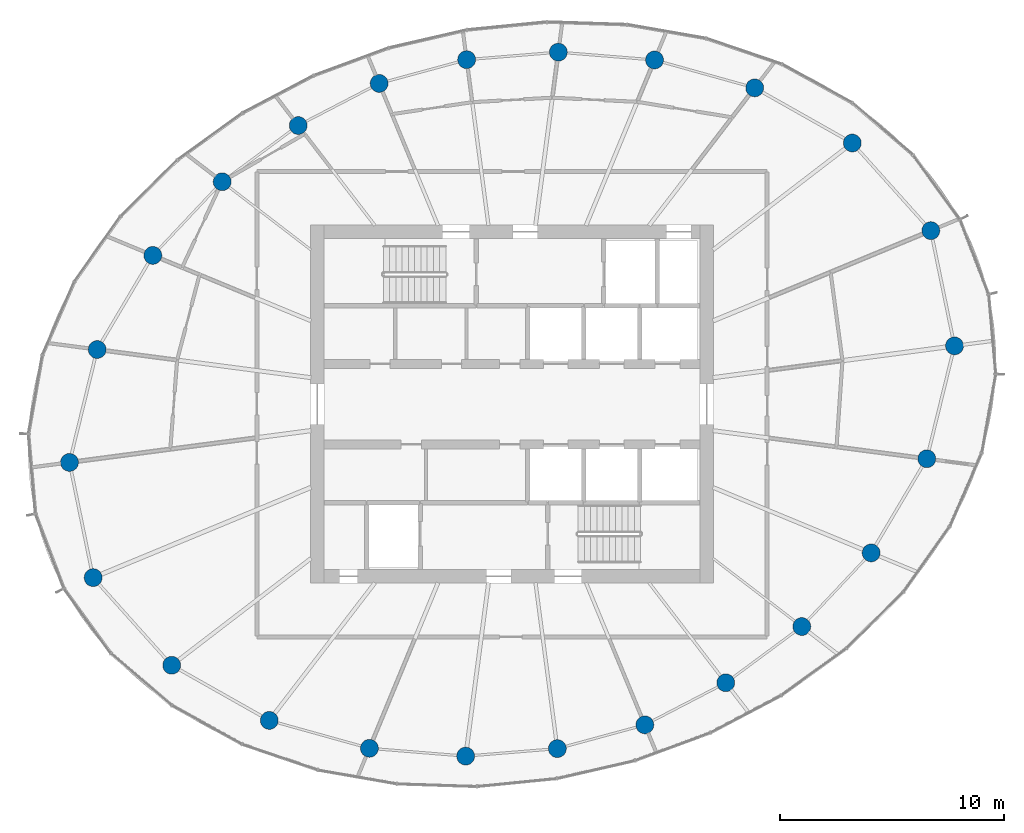
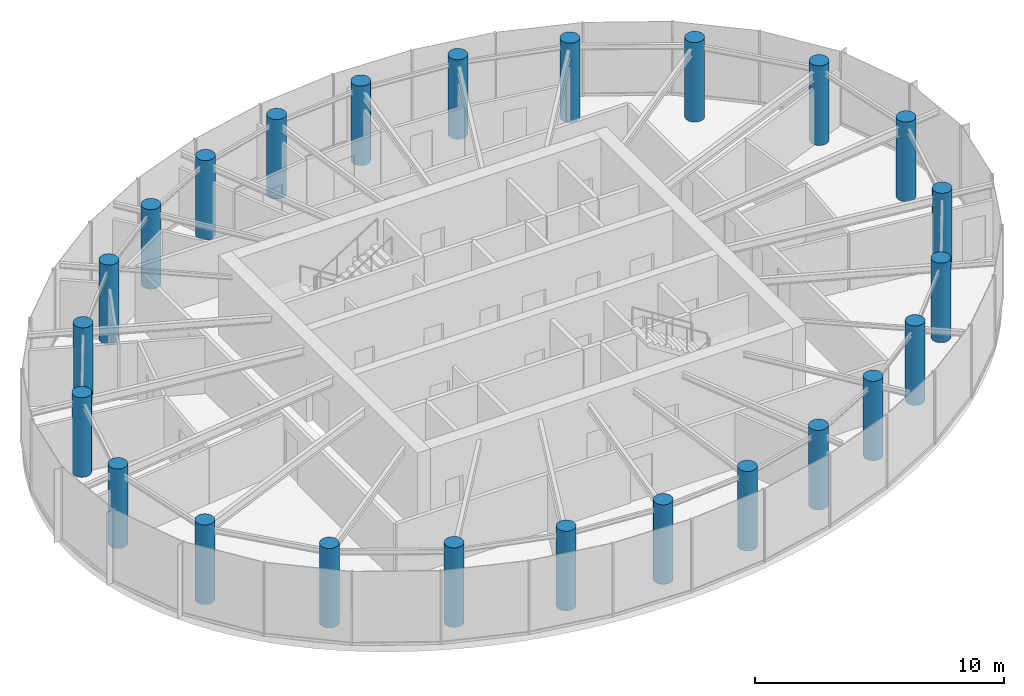
# One storey, part 1 of 13: 24 columns.
"""IFC4 building model written with IfcOpenShell, lengths in metres."""

from ifc_helpers import new_model, si_unit, direction, frame, origin, origin_2d, place, context, subcontext, project, spatial, circle, extrude, source, transform, mapped, material, material_profile, profile_set, type_object, element, save


model = new_model("IFC4")

# Units and contexts
model_context = context("Model", 3, precision=1e-05, world=origin(), true_north=direction((0.0, 1.0)))
body_context = subcontext(model_context, "Body", "Model", "MODEL_VIEW")
ifc_project = project(units=[si_unit("LENGTHUNIT", "METRE"), si_unit("AREAUNIT", "SQUARE_METRE"), si_unit("VOLUMEUNIT", "CUBIC_METRE"), si_unit("PLANEANGLEUNIT", "RADIAN"), si_unit("MASSUNIT", "GRAM", prefix="KILO")], contexts=[model_context])

# Site, building, storey
site_placement = place(None, origin())
site = spatial("IfcSite", under=ifc_project, at=site_placement, CompositionType="ELEMENT")
building_placement = place(site_placement, origin())
building = spatial("IfcBuilding", under=site, at=building_placement, Name="Spindrift Exchange Tower", CompositionType="ELEMENT")
storey_placement = place(building_placement, frame((0.0, 0.0, 261.800048828125)))
storey = spatial("IfcBuildingStorey", under=building, at=storey_placement, Name="L64", CompositionType="ELEMENT", Elevation=261.800048828125)

# Columns
ifc_material = material(Name="Concrete 40 MPa", Category="concrete")
ifc_material_profile = material_profile(ifc_material, circle(Radius=0.39990234375, at=origin_2d()), Name="RC D800")
ifc_profile_set = profile_set([ifc_material_profile], Name="Concrete 40 MPa")
column_type = type_object("IfcColumnType", Name="RC Perimeter Column D800 Concrete 40 MPa", PredefinedType="COLUMN", material=ifc_profile_set)
shared_shape = source(origin(), body_context, "Body", "SweptSolid", [
    extrude(circle(Radius=0.39990234375, at=origin_2d()), origin(), (0.0, 0.0, 1.0), 3.89990234375),
])
for number, where, z_axis, x_axis, name in (
    (1, (71.77734375, 50.603759765625, 0.0), (0.0, 0.0, 1.0), (1.0, 0.0, 0.0), "Perimeter column P5-01 L64"),
    (2, (70.719482421875, 55.75390625, 0.0), (0.0, 0.0, 1.0), (1.0, 0.0, 0.0), "Perimeter column P5-02 L64"),
    (3, (67.20947265625, 59.670654296875, 0.0), (0.0, 0.0, 1.0), (1.0, 0.0, 0.0), "Perimeter column P5-03 L64"),
    (4, (62.846923828125, 62.135986328125, 0.0), (0.0, 0.0, 1.0), (1.0, 0.0, 0.0), "Perimeter column P5-04 L64"),
    (5, (58.37158203125, 63.382568359375, 0.0), (0.0, 0.0, 1.0), (1.0, 0.0, 0.0), "Perimeter column P5-05 L64"),
    (6, (54.071044921875, 63.731201171875, 0.0), (0.0, 0.0, 1.0), (1.0, 0.0, 0.0), "Perimeter column P5-06 L64"),
    (7, (49.97314453125, 63.39599609375, 0.0), (0.0, 0.0, 1.0), (1.0, 0.0, 0.0), "Perimeter column P5-07 L64"),
    (8, (46.062744140625, 62.333984375, 0.0), (0.0, 0.0, 1.0), (1.0, 0.0, 0.0), "Perimeter column P5-08 L64"),
    (9, (42.4443359375, 60.453369140625, 0.0), (0.0, 0.0, 1.0), (1.0, 0.0, 0.0), "Perimeter column P5-09 L64"),
    (10, (39.046875, 57.939208984375, 0.0), (0.0, 0.0, 1.0), (1.0, 0.0, 0.0), "Perimeter column P5-10 L64"),
    (11, (35.948486328125, 54.648681640625, 0.0), (0.0, 0.0, 1.0), (1.0, 0.0, 0.0), "Perimeter column P5-11 L64"),
    (12, (33.4599609375, 50.44091796875, 0.0), (0.0, 0.0, 1.0), (1.0, 0.0, 0.0), "Perimeter column P5-12 L64"),
    (13, (32.22265625, 45.396240234375, 0.0), (0.0, 0.0, 1.0), (1.0, 0.0, 0.0), "Perimeter column P5-13 L64"),
    (14, (33.280517578125, 40.24609375, 0.0), (0.0, 0.0, 1.0), (1.0, 0.0, 0.0), "Perimeter column P5-14 L64"),
    (15, (36.79052734375, 36.329345703125, 0.0), (0.0, 0.0, 1.0), (1.0, 0.0, 0.0), "Perimeter column P5-15 L64"),
    (16, (41.153076171875, 33.864013671875, 0.0), (0.0, 0.0, 1.0), (1.0, 0.0, 0.0), "Perimeter column P5-16 L64"),
    (17, (45.62841796875, 32.617431640625, 0.0), (0.0, 0.0, 1.0), (1.0, 0.0, 0.0), "Perimeter column P5-17 L64"),
    (18, (49.928955078125, 32.268798828125, 0.0), (0.0, 0.0, 1.0), (1.0, 0.0, 0.0), "Perimeter column P5-18 L64"),
    (19, (54.02685546875, 32.60400390625, 0.0), (0.0, 0.0, 1.0), (1.0, 0.0, 0.0), "Perimeter column P5-19 L64"),
    (20, (57.937255859375, 33.666015625, 0.0), (0.0, 0.0, 1.0), (1.0, 0.0, 0.0), "Perimeter column P5-20 L64"),
    (21, (61.5556640625, 35.546630859375, 0.0), (0.0, 0.0, 1.0), (1.0, 0.0, 0.0), "Perimeter column P5-21 L64"),
    (22, (64.953125, 38.060791015625, 0.0), (0.0, 0.0, 1.0), (1.0, 0.0, 0.0), "Perimeter column P5-22 L64"),
    (23, (68.051513671875, 41.351318359375, 0.0), (0.0, 0.0, 1.0), (1.0, 0.0, 0.0), "Perimeter column P5-23 L64"),
    (24, (70.5400390625, 45.55908203125, 0.0), (0.0, 0.0, 1.0), (1.0, 0.0, 0.0), "Perimeter column P5-24 L64"),
):
    element("IfcColumn", number, at=place(storey_placement, frame(where, z_axis=z_axis, x_axis=x_axis)), inside=storey, type_object=column_type, Name=name, PredefinedType="COLUMN", context=body_context, shape_type="MappedRepresentation", body=[
        mapped(shared_shape, transform((0.0, 0.0, 0.0), scale=1.0)),
    ])

save(model, "model.ifc")
